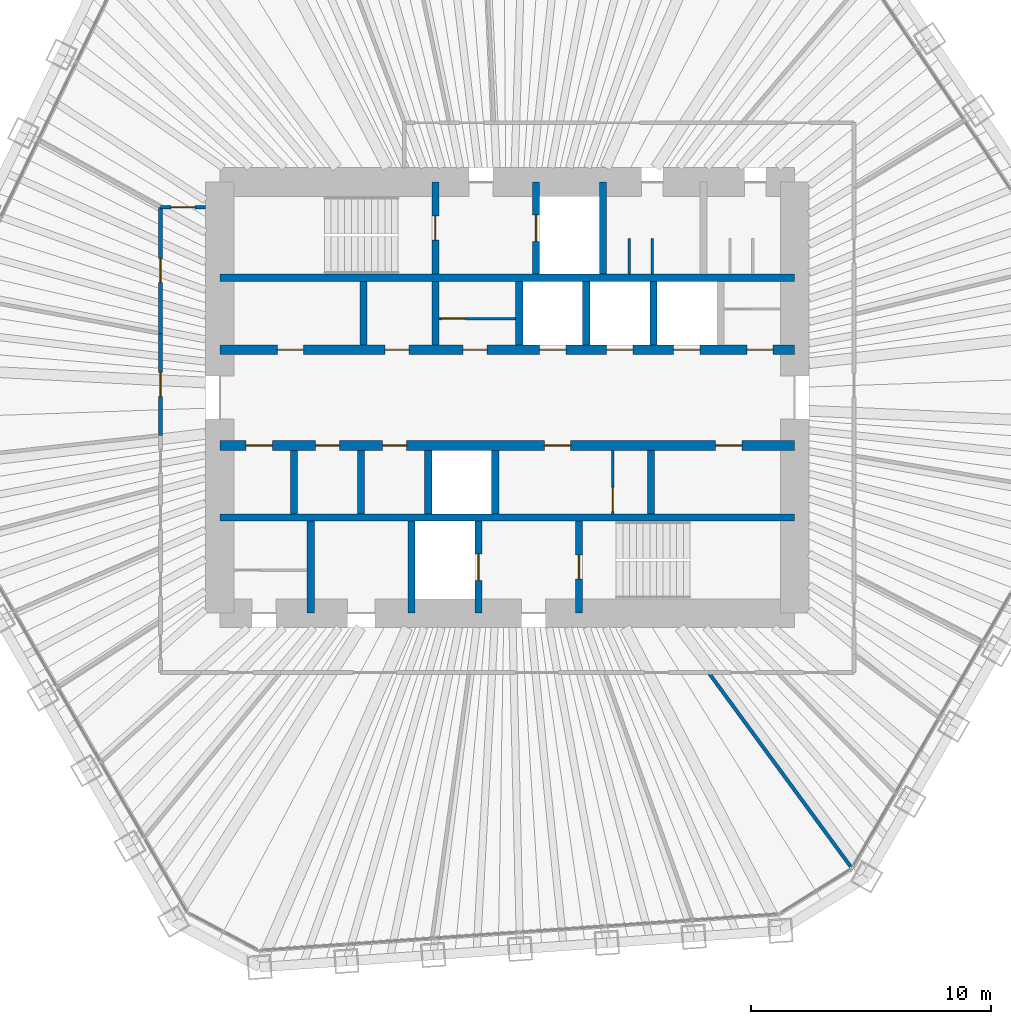
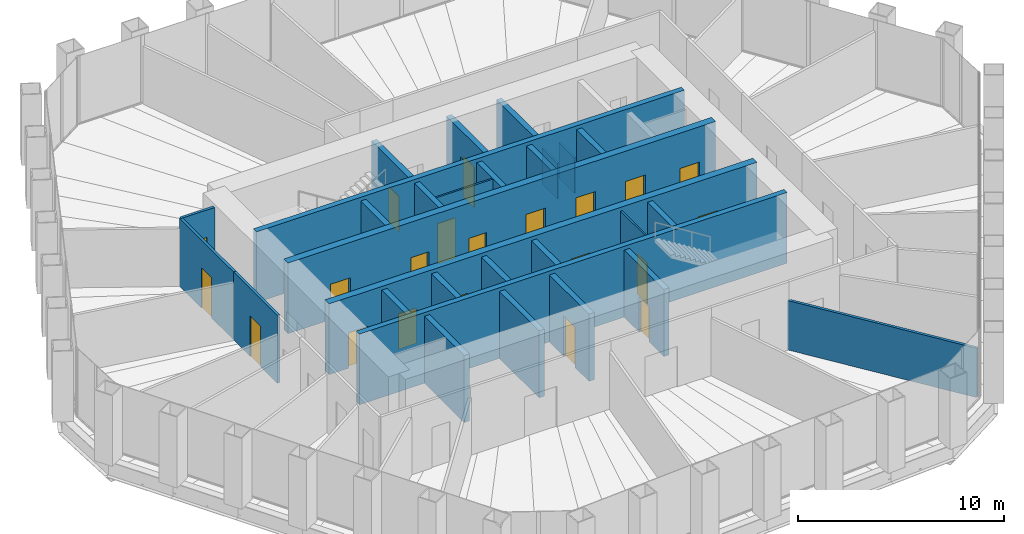
# One storey, part 11 of 14: 29 walls, 21 doors, 21 openings.
"""IFC4 building model written with IfcOpenShell, lengths in metres."""

from ifc_helpers import new_model, si_unit, direction, frame, frame_2d, origin, place, context, subcontext, project, spatial, rectangle, extrude, material, layer, layer_set, type_object, element, fill, save


model = new_model("IFC4")

# Units and contexts
model_context = context("Model", 3, precision=1e-05, world=origin(), true_north=direction((0.0, 1.0)))
body_context = subcontext(model_context, "Body", "Model", "MODEL_VIEW")
ifc_project = project(units=[si_unit("LENGTHUNIT", "METRE"), si_unit("AREAUNIT", "SQUARE_METRE"), si_unit("VOLUMEUNIT", "CUBIC_METRE"), si_unit("PLANEANGLEUNIT", "RADIAN"), si_unit("MASSUNIT", "GRAM", prefix="KILO")], contexts=[model_context])

# Site, building, storey
site_placement = place(None, origin())
site = spatial("IfcSite", under=ifc_project, at=site_placement, CompositionType="ELEMENT")
building_placement = place(site_placement, origin())
building = spatial("IfcBuilding", under=site, at=building_placement, Name="Qingtian Harvest Tower", CompositionType="ELEMENT")
storey_placement = place(building_placement, frame((0.0, 0.0, 235.0)))
storey = spatial("IfcBuildingStorey", under=building, at=storey_placement, Name="L51", CompositionType="ELEMENT", Elevation=235.0)

# Walls
ifc_material_1 = material(Name="Concrete fc' 70 MPa", Category="concrete")
ifc_layer_1 = layer(ifc_material_1, 0.300048828125)
ifc_layer_set_1 = layer_set([ifc_layer_1], Name="Core inner wall RC5 300")
wall_type_1 = type_object("IfcWallType", Name="Core inner wall RC5 300", PredefinedType="SHEAR", material=ifc_layer_set_1)
for number, where, z_axis, x_axis, name in (
    (1, (-12.0, 5.0, 0.0), (0.0, 0.0, 1.0), (1.0, 0.0, 0.0), "Core wall IN5 L51"),
    (2, (-12.0, -5.0, 0.0), (0.0, 0.0, 1.0), (1.0, 0.0, 0.0), "Core wall IS5 L51"),
):
    element("IfcWall", number, at=place(storey_placement, frame(where, z_axis=z_axis, x_axis=x_axis)), inside=storey, type_object=wall_type_1, Name=name, PredefinedType="SHEAR", context=body_context, shape_type="SweptSolid", body=[
        extrude(rectangle(XDim=24.0, YDim=0.300048828125, at=frame_2d((12.0, 0.0))), origin(), (0.0, 0.0, 1.0), 4.199951171875),
    ])

# Wall, openings, doors
ifc_material_2 = material(Name="Concrete fc' 70 MPa", Category="concrete")
ifc_layer_2 = layer(ifc_material_2, 0.39990234375)
ifc_layer_set_2 = layer_set([ifc_layer_2], Name="Core inner web RC6 400")
wall_type_2 = type_object("IfcWallType", Name="Core inner web RC6 400", PredefinedType="SHEAR", material=ifc_layer_set_2)
wall_1_placement = place(storey_placement, frame((-12.0, 2.0, 0.0), z_axis=(0.0, 0.0, 1.0), x_axis=(1.0, 0.0, 0.0)))
wall_1 = element("IfcWall", 3, at=wall_1_placement, inside=storey, type_object=wall_type_2, Name="Core wall IN2 L51", PredefinedType="SHEAR", context=body_context, shape_type="SweptSolid", body=[
    extrude(rectangle(XDim=24.0, YDim=0.39990234375, at=frame_2d((12.0, 0.0))), origin(), (0.0, 0.0, 1.0), 4.199951171875),
])
opening_1_placement = place(wall_1_placement, frame((2.39990234375, 0.0, 0.0)))
opening_1 = element("IfcOpeningElement", 4, at=opening_1_placement, cuts=wall_1, Name="Opening FD4", PredefinedType="OPENING", context=body_context, shape_type="SweptSolid", body=[
    extrude(rectangle(XDim=1.10009765625, YDim=2.10009765625, at=frame_2d((0.550048828125, 1.050048828125))), frame((0.0, 0.2099609375, 0.0), z_axis=(0.0, -1.0, 0.0), x_axis=(1.0, 0.0, 0.0)), (0.0, 0.0, 1.0), 0.419921875),
])
opening_2_placement = place(wall_1_placement, frame((22.0, 0.0, 0.0)))
opening_2 = element("IfcOpeningElement", 5, at=opening_2_placement, cuts=wall_1, Name="Opening FD4", PredefinedType="OPENING", context=body_context, shape_type="SweptSolid", body=[
    extrude(rectangle(XDim=1.10009765625, YDim=2.10009765625, at=frame_2d((0.550048828125, 1.050048828125))), frame((0.0, 0.2099609375, 0.0), z_axis=(0.0, -1.0, 0.0), x_axis=(1.0, 0.0, 0.0)), (0.0, 0.0, 1.0), 0.419921875),
])
opening_3_placement = place(wall_1_placement, frame((10.14990234375, 0.0, 0.0)))
opening_3 = element("IfcOpeningElement", 6, at=opening_3_placement, cuts=wall_1, Name="Opening FD1", PredefinedType="OPENING", context=body_context, shape_type="SweptSolid", body=[
    extrude(rectangle(XDim=1.0, YDim=2.10009765625, at=frame_2d((0.5, 1.050048828125))), frame((0.0, 0.2099609375, 0.0), z_axis=(0.0, -1.0, 0.0), x_axis=(1.0, 0.0, 0.0)), (0.0, 0.0, 1.0), 0.419921875),
])
opening_4_placement = place(wall_1_placement, frame((6.89990234375, 0.0, 0.0)))
opening_4 = element("IfcOpeningElement", 7, at=opening_4_placement, cuts=wall_1, Name="Opening FD1", PredefinedType="OPENING", context=body_context, shape_type="SweptSolid", body=[
    extrude(rectangle(XDim=1.0, YDim=2.10009765625, at=frame_2d((0.5, 1.050048828125))), frame((0.0, 0.2099609375, 0.0), z_axis=(0.0, -1.0, 0.0), x_axis=(1.0, 0.0, 0.0)), (0.0, 0.0, 1.0), 0.419921875),
])
opening_5_placement = place(wall_1_placement, frame((13.35009765625, 0.0, 0.0)))
opening_5 = element("IfcOpeningElement", 8, at=opening_5_placement, cuts=wall_1, Name="Opening LD1", PredefinedType="OPENING", context=body_context, shape_type="SweptSolid", body=[
    extrude(rectangle(XDim=1.10009765625, YDim=2.39990234375, at=frame_2d((0.550048828125, 1.199951171875))), frame((0.0, 0.2099609375, 0.0), z_axis=(0.0, -1.0, 0.0), x_axis=(1.0, 0.0, 0.0)), (0.0, 0.0, 1.0), 0.419921875),
])
opening_6_placement = place(wall_1_placement, frame((16.14990234375, 0.0, 0.0)))
opening_6 = element("IfcOpeningElement", 9, at=opening_6_placement, cuts=wall_1, Name="Opening LD1", PredefinedType="OPENING", context=body_context, shape_type="SweptSolid", body=[
    extrude(rectangle(XDim=1.10009765625, YDim=2.39990234375, at=frame_2d((0.550048828125, 1.199951171875))), frame((0.0, 0.2099609375, 0.0), z_axis=(0.0, -1.0, 0.0), x_axis=(1.0, 0.0, 0.0)), (0.0, 0.0, 1.0), 0.419921875),
])
opening_7_placement = place(wall_1_placement, frame((18.949951171875, 0.0, 0.0)))
opening_7 = element("IfcOpeningElement", 10, at=opening_7_placement, cuts=wall_1, Name="Opening LD1", PredefinedType="OPENING", context=body_context, shape_type="SweptSolid", body=[
    extrude(rectangle(XDim=1.10009765625, YDim=2.39990234375, at=frame_2d((0.550048828125, 1.199951171875))), frame((0.0, 0.2099609375, 0.0), z_axis=(0.0, -1.0, 0.0), x_axis=(1.0, 0.0, 0.0)), (0.0, 0.0, 1.0), 0.419921875),
])
ifc_material_3 = material(Name="Steel-faced door leaf", Category="steel")
door_type_1 = type_object("IfcDoorType", Name="Fire door FD1 single 1 HR", OperationType="SINGLE_SWING_LEFT", PredefinedType="DOOR", material=ifc_material_3)
door_1_placement = place(opening_3_placement, origin())
door_1 = element("IfcDoor", 11, at=door_1_placement, inside=storey, type_object=door_type_1, Name="STA door L51", OperationType="SINGLE_SWING_LEFT", OverallHeight=2.10009765625, OverallWidth=1.0, PredefinedType="DOOR", context=body_context, shape_type="SweptSolid", body=[
    extrude(rectangle(XDim=1.0, YDim=2.10009765625, at=frame_2d((0.5, 1.050048828125))), frame((0.0, 0.02490234375, 0.0), z_axis=(0.0, -1.0, 0.0), x_axis=(1.0, 0.0, 0.0)), (0.0, 0.0, 1.0), 0.050048828125),
])
fill(opening_3, door_1)
door_2_placement = place(opening_4_placement, origin())
door_2 = element("IfcDoor", 12, at=door_2_placement, inside=storey, type_object=door_type_1, Name="Pantry door L51", OperationType="SINGLE_SWING_LEFT", OverallHeight=2.10009765625, OverallWidth=1.0, PredefinedType="DOOR", context=body_context, shape_type="SweptSolid", body=[
    extrude(rectangle(XDim=1.0, YDim=2.10009765625, at=frame_2d((0.5, 1.050048828125))), frame((0.0, 0.02490234375, 0.0), z_axis=(0.0, -1.0, 0.0), x_axis=(1.0, 0.0, 0.0)), (0.0, 0.0, 1.0), 0.050048828125),
])
fill(opening_4, door_2)
ifc_material_4 = material(Name="Steel-faced door leaf", Category="steel")
door_type_2 = type_object("IfcDoorType", Name="Fire door FD4 single 2 HR", OperationType="SINGLE_SWING_LEFT", PredefinedType="DOOR", material=ifc_material_4)
door_3_placement = place(opening_1_placement, origin())
door_3 = element("IfcDoor", 13, at=door_3_placement, inside=storey, type_object=door_type_2, Name="RA door L51", OperationType="SINGLE_SWING_LEFT", OverallHeight=2.10009765625, OverallWidth=1.10009765625, PredefinedType="DOOR", context=body_context, shape_type="SweptSolid", body=[
    extrude(rectangle(XDim=1.10009765625, YDim=2.10009765625, at=frame_2d((0.550048828125, 1.050048828125))), frame((0.0, 0.02490234375, 0.0), z_axis=(0.0, -1.0, 0.0), x_axis=(1.0, 0.0, 0.0)), (0.0, 0.0, 1.0), 0.050048828125),
])
fill(opening_1, door_3)
door_4_placement = place(opening_2_placement, origin())
door_4 = element("IfcDoor", 14, at=door_4_placement, inside=storey, type_object=door_type_2, Name="AHU door L51", OperationType="SINGLE_SWING_RIGHT", OverallHeight=2.10009765625, OverallWidth=1.10009765625, PredefinedType="DOOR", context=body_context, shape_type="SweptSolid", body=[
    extrude(rectangle(XDim=1.10009765625, YDim=2.10009765625, at=frame_2d((0.550048828125, 1.050048828125))), frame((0.0, 0.02490234375, 0.0), z_axis=(0.0, -1.0, 0.0), x_axis=(1.0, 0.0, 0.0)), (0.0, 0.0, 1.0), 0.050048828125),
])
fill(opening_2, door_4)
ifc_material_5 = material(Name="Stainless steel lift landing door", Category="steel")
door_type_3 = type_object("IfcDoorType", Name="Lift landing door LD1 1 HR", OperationType="DOUBLE_DOOR_SLIDING", PredefinedType="DOOR", material=ifc_material_5)
door_5_placement = place(opening_5_placement, origin())
door_5 = element("IfcDoor", 15, at=door_5_placement, inside=storey, type_object=door_type_3, Name="PLC1 landing door L51", OperationType="DOUBLE_DOOR_SLIDING", OverallHeight=2.39990234375, OverallWidth=1.10009765625, PredefinedType="DOOR", context=body_context, shape_type="SweptSolid", body=[
    extrude(rectangle(XDim=1.10009765625, YDim=2.39990234375, at=frame_2d((0.550048828125, 1.199951171875))), frame((0.0, 0.02490234375, 0.0), z_axis=(0.0, -1.0, 0.0), x_axis=(1.0, 0.0, 0.0)), (0.0, 0.0, 1.0), 0.050048828125),
])
fill(opening_5, door_5)
door_6_placement = place(opening_6_placement, origin())
door_6 = element("IfcDoor", 16, at=door_6_placement, inside=storey, type_object=door_type_3, Name="PLC2 landing door L51", OperationType="DOUBLE_DOOR_SLIDING", OverallHeight=2.39990234375, OverallWidth=1.10009765625, PredefinedType="DOOR", context=body_context, shape_type="SweptSolid", body=[
    extrude(rectangle(XDim=1.10009765625, YDim=2.39990234375, at=frame_2d((0.550048828125, 1.199951171875))), frame((0.0, 0.02490234375, 0.0), z_axis=(0.0, -1.0, 0.0), x_axis=(1.0, 0.0, 0.0)), (0.0, 0.0, 1.0), 0.050048828125),
])
fill(opening_6, door_6)
door_7_placement = place(opening_7_placement, origin())
door_7 = element("IfcDoor", 17, at=door_7_placement, inside=storey, type_object=door_type_3, Name="PLC3 landing door L51", OperationType="DOUBLE_DOOR_SLIDING", OverallHeight=2.39990234375, OverallWidth=1.10009765625, PredefinedType="DOOR", context=body_context, shape_type="SweptSolid", body=[
    extrude(rectangle(XDim=1.10009765625, YDim=2.39990234375, at=frame_2d((0.550048828125, 1.199951171875))), frame((0.0, 0.02490234375, 0.0), z_axis=(0.0, -1.0, 0.0), x_axis=(1.0, 0.0, 0.0)), (0.0, 0.0, 1.0), 0.050048828125),
])
fill(opening_7, door_7)

wall_2_placement = place(storey_placement, frame((-12.0, -2.0, 0.0), z_axis=(0.0, 0.0, 1.0), x_axis=(1.0, 0.0, 0.0)))
wall_2 = element("IfcWall", 18, at=wall_2_placement, inside=storey, type_object=wall_type_2, Name="Core wall IS2 L51", PredefinedType="SHEAR", context=body_context, shape_type="SweptSolid", body=[
    extrude(rectangle(XDim=24.0, YDim=0.39990234375, at=frame_2d((12.0, 0.0))), origin(), (0.0, 0.0, 1.0), 4.199951171875),
])
opening_8_placement = place(wall_2_placement, frame((1.10009765625, 0.0, 0.0)))
opening_8 = element("IfcOpeningElement", 19, at=opening_8_placement, cuts=wall_2, Name="Opening FD4", PredefinedType="OPENING", context=body_context, shape_type="SweptSolid", body=[
    extrude(rectangle(XDim=1.10009765625, YDim=2.10009765625, at=frame_2d((0.550048828125, 1.050048828125))), frame((0.0, 0.2099609375, 0.0), z_axis=(0.0, -1.0, 0.0), x_axis=(1.0, 0.0, 0.0)), (0.0, 0.0, 1.0), 0.419921875),
])
opening_9_placement = place(wall_2_placement, frame((13.550048828125, 0.0, 0.0)))
opening_9 = element("IfcOpeningElement", 20, at=opening_9_placement, cuts=wall_2, Name="Opening FD4", PredefinedType="OPENING", context=body_context, shape_type="SweptSolid", body=[
    extrude(rectangle(XDim=1.10009765625, YDim=2.10009765625, at=frame_2d((0.550048828125, 1.050048828125))), frame((0.0, 0.2099609375, 0.0), z_axis=(0.0, -1.0, 0.0), x_axis=(1.0, 0.0, 0.0)), (0.0, 0.0, 1.0), 0.419921875),
])
opening_10_placement = place(wall_2_placement, frame((20.699951171875, 0.0, 0.0)))
opening_10 = element("IfcOpeningElement", 21, at=opening_10_placement, cuts=wall_2, Name="Opening FD4", PredefinedType="OPENING", context=body_context, shape_type="SweptSolid", body=[
    extrude(rectangle(XDim=1.10009765625, YDim=2.10009765625, at=frame_2d((0.550048828125, 1.050048828125))), frame((0.0, 0.2099609375, 0.0), z_axis=(0.0, -1.0, 0.0), x_axis=(1.0, 0.0, 0.0)), (0.0, 0.0, 1.0), 0.419921875),
])
opening_11_placement = place(wall_2_placement, frame((4.0, 0.0, 0.0)))
opening_11 = element("IfcOpeningElement", 22, at=opening_11_placement, cuts=wall_2, Name="Opening FD1", PredefinedType="OPENING", context=body_context, shape_type="SweptSolid", body=[
    extrude(rectangle(XDim=1.0, YDim=2.10009765625, at=frame_2d((0.5, 1.050048828125))), frame((0.0, 0.2099609375, 0.0), z_axis=(0.0, -1.0, 0.0), x_axis=(1.0, 0.0, 0.0)), (0.0, 0.0, 1.0), 0.419921875),
])
opening_12_placement = place(wall_2_placement, frame((6.800048828125, 0.0, 0.0)))
opening_12 = element("IfcOpeningElement", 23, at=opening_12_placement, cuts=wall_2, Name="Opening FD1", PredefinedType="OPENING", context=body_context, shape_type="SweptSolid", body=[
    extrude(rectangle(XDim=1.0, YDim=2.10009765625, at=frame_2d((0.5, 1.050048828125))), frame((0.0, 0.2099609375, 0.0), z_axis=(0.0, -1.0, 0.0), x_axis=(1.0, 0.0, 0.0)), (0.0, 0.0, 1.0), 0.419921875),
])
door_8_placement = place(opening_11_placement, origin())
door_8 = element("IfcDoor", 24, at=door_8_placement, inside=storey, type_object=door_type_1, Name="IT room door L51", OperationType="SINGLE_SWING_RIGHT", OverallHeight=2.10009765625, OverallWidth=1.0, PredefinedType="DOOR", context=body_context, shape_type="SweptSolid", body=[
    extrude(rectangle(XDim=1.0, YDim=2.10009765625, at=frame_2d((0.5, 1.050048828125))), frame((0.0, 0.02490234375, 0.0), z_axis=(0.0, -1.0, 0.0), x_axis=(1.0, 0.0, 0.0)), (0.0, 0.0, 1.0), 0.050048828125),
])
fill(opening_11, door_8)
door_9_placement = place(opening_12_placement, origin())
door_9 = element("IfcDoor", 25, at=door_9_placement, inside=storey, type_object=door_type_1, Name="Store door L51", OperationType="SINGLE_SWING_RIGHT", OverallHeight=2.10009765625, OverallWidth=1.0, PredefinedType="DOOR", context=body_context, shape_type="SweptSolid", body=[
    extrude(rectangle(XDim=1.0, YDim=2.10009765625, at=frame_2d((0.5, 1.050048828125))), frame((0.0, 0.02490234375, 0.0), z_axis=(0.0, -1.0, 0.0), x_axis=(1.0, 0.0, 0.0)), (0.0, 0.0, 1.0), 0.050048828125),
])
fill(opening_12, door_9)
door_10_placement = place(opening_8_placement, origin())
door_10 = element("IfcDoor", 26, at=door_10_placement, inside=storey, type_object=door_type_2, Name="RB door L51", OperationType="SINGLE_SWING_RIGHT", OverallHeight=2.10009765625, OverallWidth=1.10009765625, PredefinedType="DOOR", context=body_context, shape_type="SweptSolid", body=[
    extrude(rectangle(XDim=1.10009765625, YDim=2.10009765625, at=frame_2d((0.550048828125, 1.050048828125))), frame((0.0, 0.02490234375, 0.0), z_axis=(0.0, -1.0, 0.0), x_axis=(1.0, 0.0, 0.0)), (0.0, 0.0, 1.0), 0.050048828125),
])
fill(opening_8, door_10)
door_11_placement = place(opening_9_placement, origin())
door_11 = element("IfcDoor", 27, at=door_11_placement, inside=storey, type_object=door_type_2, Name="ELEC door L51", OperationType="SINGLE_SWING_LEFT", OverallHeight=2.10009765625, OverallWidth=1.10009765625, PredefinedType="DOOR", context=body_context, shape_type="SweptSolid", body=[
    extrude(rectangle(XDim=1.10009765625, YDim=2.10009765625, at=frame_2d((0.550048828125, 1.050048828125))), frame((0.0, 0.02490234375, 0.0), z_axis=(0.0, -1.0, 0.0), x_axis=(1.0, 0.0, 0.0)), (0.0, 0.0, 1.0), 0.050048828125),
])
fill(opening_9, door_11)
door_12_placement = place(opening_10_placement, origin())
door_12 = element("IfcDoor", 28, at=door_12_placement, inside=storey, type_object=door_type_2, Name="DUCT door L51", OperationType="SINGLE_SWING_LEFT", OverallHeight=2.10009765625, OverallWidth=1.10009765625, PredefinedType="DOOR", context=body_context, shape_type="SweptSolid", body=[
    extrude(rectangle(XDim=1.10009765625, YDim=2.10009765625, at=frame_2d((0.550048828125, 1.050048828125))), frame((0.0, 0.02490234375, 0.0), z_axis=(0.0, -1.0, 0.0), x_axis=(1.0, 0.0, 0.0)), (0.0, 0.0, 1.0), 0.050048828125),
])
fill(opening_10, door_12)

# Wall, opening, door
ifc_material_6 = material(Name="Precast concrete shaft panel", Category="concrete")
ifc_layer_3 = layer(ifc_material_6, 0.300048828125)
ifc_layer_set_3 = layer_set([ifc_layer_3], Name="Core shaft partition SW1 300")
wall_type_3 = type_object("IfcWallType", Name="Core shaft partition SW1 300", PredefinedType="PARTITIONING", material=ifc_layer_set_3)
wall_3_placement = place(storey_placement, frame((-3.0, 5.14990234375, 0.0), z_axis=(0.0, 0.0, 1.0), x_axis=(0.0, 1.0, 0.0)))
wall_3 = element("IfcWall", 29, at=wall_3_placement, inside=storey, type_object=wall_type_3, Name="Core shaft partition XN1 L51", PredefinedType="PARTITIONING", context=body_context, shape_type="SweptSolid", body=[
    extrude(rectangle(XDim=3.85009765625, YDim=0.300048828125, at=frame_2d((1.925048828125, 0.0))), origin(), (0.0, 0.0, 1.0), 3.97998046875),
])
opening_13_placement = place(wall_3_placement, frame((1.425048828125, 0.0, 0.0)))
opening_13 = element("IfcOpeningElement", 30, at=opening_13_placement, cuts=wall_3, Name="Opening FD1", PredefinedType="OPENING", context=body_context, shape_type="SweptSolid", body=[
    extrude(rectangle(XDim=1.0, YDim=2.10009765625, at=frame_2d((0.5, 1.050048828125))), frame((0.0, 0.159912109375, 0.0), z_axis=(0.0, -1.0, 0.0), x_axis=(1.0, 0.0, 0.0)), (0.0, 0.0, 1.0), 0.320068359375),
])
door_13_placement = place(opening_13_placement, origin())
door_13 = element("IfcDoor", 31, at=door_13_placement, inside=storey, type_object=door_type_1, Name="S1 door L51", OperationType="SINGLE_SWING_RIGHT", OverallHeight=2.10009765625, OverallWidth=1.0, PredefinedType="DOOR", context=body_context, shape_type="SweptSolid", body=[
    extrude(rectangle(XDim=1.0, YDim=2.10009765625, at=frame_2d((0.5, 1.050048828125))), frame((0.0, 0.02490234375, 0.0), z_axis=(0.0, -1.0, 0.0), x_axis=(1.0, 0.0, 0.0)), (0.0, 0.0, 1.0), 0.050048828125),
])
fill(opening_13, door_13)

wall_4_placement = place(storey_placement, frame((1.199951171875, 5.14990234375, 0.0), z_axis=(0.0, 0.0, 1.0), x_axis=(0.0, 1.0, 0.0)))
wall_4 = element("IfcWall", 32, at=wall_4_placement, inside=storey, type_object=wall_type_3, Name="Core shaft partition XN2 L51", PredefinedType="PARTITIONING", context=body_context, shape_type="SweptSolid", body=[
    extrude(rectangle(XDim=3.85009765625, YDim=0.300048828125, at=frame_2d((1.925048828125, 0.0))), origin(), (0.0, 0.0, 1.0), 3.97998046875),
])
opening_14_placement = place(wall_4_placement, frame((1.375, 0.0, 0.0)))
opening_14 = element("IfcOpeningElement", 33, at=opening_14_placement, cuts=wall_4, Name="Opening LD1", PredefinedType="OPENING", context=body_context, shape_type="SweptSolid", body=[
    extrude(rectangle(XDim=1.10009765625, YDim=2.39990234375, at=frame_2d((0.550048828125, 1.199951171875))), frame((0.0, 0.159912109375, 0.0), z_axis=(0.0, -1.0, 0.0), x_axis=(1.0, 0.0, 0.0)), (0.0, 0.0, 1.0), 0.320068359375),
])
door_14_placement = place(opening_14_placement, origin())
door_14 = element("IfcDoor", 34, at=door_14_placement, inside=storey, type_object=door_type_3, Name="FL1 landing door L51", OperationType="DOUBLE_DOOR_SLIDING", OverallHeight=2.39990234375, OverallWidth=1.10009765625, PredefinedType="DOOR", context=body_context, shape_type="SweptSolid", body=[
    extrude(rectangle(XDim=1.10009765625, YDim=2.39990234375, at=frame_2d((0.550048828125, 1.199951171875))), frame((0.0, 0.02490234375, 0.0), z_axis=(0.0, -1.0, 0.0), x_axis=(1.0, 0.0, 0.0)), (0.0, 0.0, 1.0), 0.050048828125),
])
fill(opening_14, door_14)

# Walls
wall_5_placement = place(storey_placement, frame((4.0, 5.14990234375, 0.0), z_axis=(0.0, 0.0, 1.0), x_axis=(0.0, 1.0, 0.0)))
element("IfcWall", 35, at=wall_5_placement, inside=storey, type_object=wall_type_3, Name="Core shaft partition XN3 L51", PredefinedType="PARTITIONING", context=body_context, shape_type="SweptSolid", body=[
    extrude(rectangle(XDim=3.85009765625, YDim=0.300048828125, at=frame_2d((1.925048828125, 0.0))), origin(), (0.0, 0.0, 1.0), 3.97998046875),
])
for number, where, z_axis, x_axis, name in (
    (36, (-6.0, 2.199951171875, 0.0), (0.0, 0.0, 1.0), (0.0, 1.0, 0.0), "Core shaft partition XA1 L51"),
    (37, (-3.0, 2.199951171875, 0.0), (0.0, 0.0, 1.0), (0.0, 1.0, 0.0), "Core shaft partition XA2 L51"),
    (38, (0.5, 2.199951171875, 0.0), (0.0, 0.0, 1.0), (0.0, 1.0, 0.0), "Core shaft partition XA3 L51"),
    (39, (3.300048828125, 2.199951171875, 0.0), (0.0, 0.0, 1.0), (0.0, 1.0, 0.0), "Core shaft partition XA4 L51"),
    (40, (6.10009765625, 2.199951171875, 0.0), (0.0, 0.0, 1.0), (0.0, 1.0, 0.0), "Core shaft partition XA5 L51"),
    (41, (-8.89990234375, -4.85009765625, 0.0), (0.0, 0.0, 1.0), (0.0, 1.0, 0.0), "Core shaft partition XB1 L51"),
    (42, (-6.10009765625, -4.85009765625, 0.0), (0.0, 0.0, 1.0), (0.0, 1.0, 0.0), "Core shaft partition XB2 L51"),
    (43, (-3.300048828125, -4.85009765625, 0.0), (0.0, 0.0, 1.0), (0.0, 1.0, 0.0), "Core shaft partition XB3 L51"),
    (44, (-0.5, -4.85009765625, 0.0), (0.0, 0.0, 1.0), (0.0, 1.0, 0.0), "Core shaft partition XB4 L51"),
    (45, (6.0, -4.85009765625, 0.0), (0.0, 0.0, 1.0), (0.0, 1.0, 0.0), "Core shaft partition XB5 L51"),
):
    element("IfcWall", number, at=place(storey_placement, frame(where, z_axis=z_axis, x_axis=x_axis)), inside=storey, type_object=wall_type_3, Name=name, PredefinedType="PARTITIONING", context=body_context, shape_type="SweptSolid", body=[
        extrude(rectangle(XDim=2.650146484375, YDim=0.300048828125, at=frame_2d((1.3251953125, 0.0))), origin(), (0.0, 0.0, 1.0), 3.97998046875),
    ])
for number, where, z_axis, x_axis, name in (
    (46, (-8.199951171875, -9.0, 0.0), (0.0, 0.0, 1.0), (0.0, 1.0, 0.0), "Core shaft partition XS1 L51"),
    (47, (-4.0, -9.0, 0.0), (0.0, 0.0, 1.0), (0.0, 1.0, 0.0), "Core shaft partition XS2 L51"),
):
    element("IfcWall", number, at=place(storey_placement, frame(where, z_axis=z_axis, x_axis=x_axis)), inside=storey, type_object=wall_type_3, Name=name, PredefinedType="PARTITIONING", context=body_context, shape_type="SweptSolid", body=[
        extrude(rectangle(XDim=3.85009765625, YDim=0.300048828125, at=frame_2d((1.925048828125, 0.0))), origin(), (0.0, 0.0, 1.0), 3.97998046875),
    ])

# Wall, opening, door
wall_6_placement = place(storey_placement, frame((-1.199951171875, -9.0, 0.0), z_axis=(0.0, 0.0, 1.0), x_axis=(0.0, 1.0, 0.0)))
wall_6 = element("IfcWall", 48, at=wall_6_placement, inside=storey, type_object=wall_type_3, Name="Core shaft partition XS3 L51", PredefinedType="PARTITIONING", context=body_context, shape_type="SweptSolid", body=[
    extrude(rectangle(XDim=3.85009765625, YDim=0.300048828125, at=frame_2d((1.925048828125, 0.0))), origin(), (0.0, 0.0, 1.0), 3.97998046875),
])
opening_15_placement = place(wall_6_placement, frame((1.375, 0.0, 0.0)))
opening_15 = element("IfcOpeningElement", 49, at=opening_15_placement, cuts=wall_6, Name="Opening LD1", PredefinedType="OPENING", context=body_context, shape_type="SweptSolid", body=[
    extrude(rectangle(XDim=1.10009765625, YDim=2.39990234375, at=frame_2d((0.550048828125, 1.199951171875))), frame((0.0, 0.159912109375, 0.0), z_axis=(0.0, -1.0, 0.0), x_axis=(1.0, 0.0, 0.0)), (0.0, 0.0, 1.0), 0.320068359375),
])
door_15_placement = place(opening_15_placement, origin())
door_15 = element("IfcDoor", 50, at=door_15_placement, inside=storey, type_object=door_type_3, Name="FL2 landing door L51", OperationType="DOUBLE_DOOR_SLIDING", OverallHeight=2.39990234375, OverallWidth=1.10009765625, PredefinedType="DOOR", context=body_context, shape_type="SweptSolid", body=[
    extrude(rectangle(XDim=1.10009765625, YDim=2.39990234375, at=frame_2d((0.550048828125, 1.199951171875))), frame((0.0, 0.02490234375, 0.0), z_axis=(0.0, -1.0, 0.0), x_axis=(1.0, 0.0, 0.0)), (0.0, 0.0, 1.0), 0.050048828125),
])
fill(opening_15, door_15)

wall_7_placement = place(storey_placement, frame((3.0, -9.0, 0.0), z_axis=(0.0, 0.0, 1.0), x_axis=(0.0, 1.0, 0.0)))
wall_7 = element("IfcWall", 51, at=wall_7_placement, inside=storey, type_object=wall_type_3, Name="Core shaft partition XS4 L51", PredefinedType="PARTITIONING", context=body_context, shape_type="SweptSolid", body=[
    extrude(rectangle(XDim=3.85009765625, YDim=0.300048828125, at=frame_2d((1.925048828125, 0.0))), origin(), (0.0, 0.0, 1.0), 3.97998046875),
])
opening_16_placement = place(wall_7_placement, frame((1.425048828125, 0.0, 0.0)))
opening_16 = element("IfcOpeningElement", 52, at=opening_16_placement, cuts=wall_7, Name="Opening FD1", PredefinedType="OPENING", context=body_context, shape_type="SweptSolid", body=[
    extrude(rectangle(XDim=1.0, YDim=2.10009765625, at=frame_2d((0.5, 1.050048828125))), frame((0.0, 0.159912109375, 0.0), z_axis=(0.0, -1.0, 0.0), x_axis=(1.0, 0.0, 0.0)), (0.0, 0.0, 1.0), 0.320068359375),
])
door_16_placement = place(opening_16_placement, origin())
door_16 = element("IfcDoor", 53, at=door_16_placement, inside=storey, type_object=door_type_1, Name="S2 door L51", OperationType="SINGLE_SWING_RIGHT", OverallHeight=2.10009765625, OverallWidth=1.0, PredefinedType="DOOR", context=body_context, shape_type="SweptSolid", body=[
    extrude(rectangle(XDim=1.0, YDim=2.10009765625, at=frame_2d((0.5, 1.050048828125))), frame((0.0, 0.02490234375, 0.0), z_axis=(0.0, -1.0, 0.0), x_axis=(1.0, 0.0, 0.0)), (0.0, 0.0, 1.0), 0.050048828125),
])
fill(opening_16, door_16)

ifc_material_7 = material(Name="Gypsum board on steel studs", Category="steel")
ifc_layer_4 = layer(ifc_material_7, 0.14990234375)
ifc_layer_set_4 = layer_set([ifc_layer_4], Name="Partition PT1 150")
wall_type_4 = type_object("IfcWallType", Name="Partition PT1 150", PredefinedType="PARTITIONING", material=ifc_layer_set_4)
wall_8_placement = place(storey_placement, frame((-14.47509765625, -1.575927734375, 0.0), z_axis=(0.0, 0.0, 1.0), x_axis=(0.0, 1.0, 0.0)))
wall_8 = element("IfcWall", 54, at=wall_8_placement, inside=storey, type_object=wall_type_4, Name="Private office wall L51", PredefinedType="PARTITIONING", context=body_context, shape_type="SweptSolid", body=[
    extrude(rectangle(XDim=4.251708984375, YDim=0.14990234375, at=frame_2d((2.1259765625, 0.0))), origin(), (0.0, 0.0, 1.0), 4.030029296875),
])
opening_17_placement = place(wall_8_placement, frame((1.625732421875, 0.0, 0.0)))
opening_17 = element("IfcOpeningElement", 55, at=opening_17_placement, cuts=wall_8, Name="Opening D2", PredefinedType="OPENING", context=body_context, shape_type="SweptSolid", body=[
    extrude(rectangle(XDim=1.0, YDim=2.39990234375, at=frame_2d((0.5, 1.199951171875))), frame((0.0, 0.0849609375, 0.0), z_axis=(0.0, -1.0, 0.0), x_axis=(1.0, 0.0, 0.0)), (0.0, 0.0, 1.0), 0.169921875),
])
ifc_material_8 = material(Name="Laminated timber door leaf", Category="wood")
door_type_4 = type_object("IfcDoorType", Name="Room door D2 single", OperationType="SINGLE_SWING_LEFT", PredefinedType="DOOR", material=ifc_material_8)
door_17_placement = place(opening_17_placement, origin())
door_17 = element("IfcDoor", 56, at=door_17_placement, inside=storey, type_object=door_type_4, Name="Private office door L51", OperationType="SINGLE_SWING_LEFT", OverallHeight=2.39990234375, OverallWidth=1.0, PredefinedType="DOOR", context=body_context, shape_type="SweptSolid", body=[
    extrude(rectangle(XDim=1.0, YDim=2.39990234375, at=frame_2d((0.5, 1.199951171875))), frame((0.0, 0.02490234375, 0.0), z_axis=(0.0, -1.0, 0.0), x_axis=(1.0, 0.0, 0.0)), (0.0, 0.0, 1.0), 0.050048828125),
])
fill(opening_17, door_17)

wall_9_placement = place(storey_placement, frame((-14.47509765625, 2.67578125, 0.0), z_axis=(0.0, 0.0, 1.0), x_axis=(0.0, 1.0, 0.0)))
wall_9 = element("IfcWall", 57, at=wall_9_placement, inside=storey, type_object=wall_type_4, Name="Meeting room wall L51", PredefinedType="PARTITIONING", context=body_context, shape_type="SweptSolid", body=[
    extrude(rectangle(XDim=5.265625, YDim=0.14990234375, at=frame_2d((2.6328125, 0.0))), origin(), (0.0, 0.0, 1.0), 4.030029296875),
])
opening_18_placement = place(wall_9_placement, frame((2.1328125, 0.0, 0.0)))
opening_18 = element("IfcOpeningElement", 58, at=opening_18_placement, cuts=wall_9, Name="Opening D2", PredefinedType="OPENING", context=body_context, shape_type="SweptSolid", body=[
    extrude(rectangle(XDim=1.0, YDim=2.39990234375, at=frame_2d((0.5, 1.199951171875))), frame((0.0, 0.0849609375, 0.0), z_axis=(0.0, -1.0, 0.0), x_axis=(1.0, 0.0, 0.0)), (0.0, 0.0, 1.0), 0.169921875),
])
door_18_placement = place(opening_18_placement, origin())
door_18 = element("IfcDoor", 59, at=door_18_placement, inside=storey, type_object=door_type_4, Name="Meeting room door L51", OperationType="SINGLE_SWING_LEFT", OverallHeight=2.39990234375, OverallWidth=1.0, PredefinedType="DOOR", context=body_context, shape_type="SweptSolid", body=[
    extrude(rectangle(XDim=1.0, YDim=2.39990234375, at=frame_2d((0.5, 1.199951171875))), frame((0.0, 0.02490234375, 0.0), z_axis=(0.0, -1.0, 0.0), x_axis=(1.0, 0.0, 0.0)), (0.0, 0.0, 1.0), 0.050048828125),
])
fill(opening_18, door_18)

wall_10_placement = place(storey_placement, frame((-14.47509765625, 7.94140625, 0.0), z_axis=(0.0, 0.0, 1.0), x_axis=(1.0, 0.0, 0.0)))
wall_10 = element("IfcWall", 60, at=wall_10_placement, inside=storey, type_object=wall_type_4, Name="Workplace zone wall L51", PredefinedType="PARTITIONING", context=body_context, shape_type="SweptSolid", body=[
    extrude(rectangle(XDim=1.875, YDim=0.14990234375, at=frame_2d((0.9375, 0.0))), origin(), (0.0, 0.0, 1.0), 4.030029296875),
])
opening_19_placement = place(wall_10_placement, frame((0.4375, 0.0, 0.0)))
opening_19 = element("IfcOpeningElement", 61, at=opening_19_placement, cuts=wall_10, Name="Opening D2", PredefinedType="OPENING", context=body_context, shape_type="SweptSolid", body=[
    extrude(rectangle(XDim=1.0, YDim=2.39990234375, at=frame_2d((0.5, 1.199951171875))), frame((0.0, 0.0849609375, 0.0), z_axis=(0.0, -1.0, 0.0), x_axis=(1.0, 0.0, 0.0)), (0.0, 0.0, 1.0), 0.169921875),
])
door_19_placement = place(opening_19_placement, origin())
door_19 = element("IfcDoor", 62, at=door_19_placement, inside=storey, type_object=door_type_4, Name="Workplace zone door L51", OperationType="SINGLE_SWING_LEFT", OverallHeight=2.39990234375, OverallWidth=1.0, PredefinedType="DOOR", context=body_context, shape_type="SweptSolid", body=[
    extrude(rectangle(XDim=1.0, YDim=2.39990234375, at=frame_2d((0.5, 1.199951171875))), frame((0.0, 0.02490234375, 0.0), z_axis=(0.0, -1.0, 0.0), x_axis=(1.0, 0.0, 0.0)), (0.0, 0.0, 1.0), 0.050048828125),
])
fill(opening_19, door_19)

# Wall
wall_11_placement = place(storey_placement, frame((14.338623046875, -19.581787109375, 0.0), z_axis=(0.0, 0.0, 1.0), x_axis=(-0.590789413226, 0.806825798559, 0.0)))
element("IfcWall", 63, at=wall_11_placement, inside=storey, type_object=wall_type_4, Name="Private office wall L51", PredefinedType="PARTITIONING", context=body_context, shape_type="SweptSolid", body=[
    extrude(rectangle(XDim=10.047607421875, YDim=0.14990234375, at=frame_2d((5.02392578125, 0.0))), origin(), (0.0, 0.0, 1.0), 2.929931640625),
])

# Wall, opening, door
ifc_material_9 = material(Name="Concrete block partition", Category="concrete")
ifc_layer_5 = layer(ifc_material_9, 0.10009765625)
ifc_layer_set_5 = layer_set([ifc_layer_5], Name="Store partition PT3 100")
wall_type_5 = type_object("IfcWallType", Name="Store partition PT3 100", PredefinedType="PARTITIONING", material=ifc_layer_set_5)
wall_12_placement = place(storey_placement, frame((-2.85009765625, 3.300048828125, 0.0), z_axis=(0.0, 0.0, 1.0), x_axis=(1.0, 0.0, 0.0)))
wall_12 = element("IfcWall", 64, at=wall_12_placement, inside=storey, type_object=wall_type_5, Name="Archive store wall L51", PredefinedType="PARTITIONING", context=body_context, shape_type="SweptSolid", body=[
    extrude(rectangle(XDim=3.2001953125, YDim=0.10009765625, at=frame_2d((1.60009765625, 0.0))), origin(), (0.0, 0.0, 1.0), 3.97998046875),
])
opening_20_placement = place(wall_12_placement, frame((0.10009765625, 0.0, 0.0)))
opening_20 = element("IfcOpeningElement", 65, at=opening_20_placement, cuts=wall_12, Name="Opening D2", PredefinedType="OPENING", context=body_context, shape_type="SweptSolid", body=[
    extrude(rectangle(XDim=1.0, YDim=2.39990234375, at=frame_2d((0.5, 1.199951171875))), frame((0.0, 0.06005859375, 0.0), z_axis=(0.0, -1.0, 0.0), x_axis=(1.0, 0.0, 0.0)), (0.0, 0.0, 1.0), 0.1201171875),
])
door_20_placement = place(opening_20_placement, origin())
door_20 = element("IfcDoor", 66, at=door_20_placement, inside=storey, type_object=door_type_4, Name="Archive store door L51", OperationType="SINGLE_SWING_RIGHT", OverallHeight=2.39990234375, OverallWidth=1.0, PredefinedType="DOOR", context=body_context, shape_type="SweptSolid", body=[
    extrude(rectangle(XDim=1.0, YDim=2.39990234375, at=frame_2d((0.5, 1.199951171875))), frame((0.0, 0.02490234375, 0.0), z_axis=(0.0, -1.0, 0.0), x_axis=(1.0, 0.0, 0.0)), (0.0, 0.0, 1.0), 0.050048828125),
])
fill(opening_20, door_20)

wall_13_placement = place(storey_placement, frame((4.39990234375, -4.85009765625, 0.0), z_axis=(0.0, 0.0, 1.0), x_axis=(0.0, 1.0, 0.0)))
wall_13 = element("IfcWall", 67, at=wall_13_placement, inside=storey, type_object=wall_type_5, Name="Comms room wall L51", PredefinedType="PARTITIONING", context=body_context, shape_type="SweptSolid", body=[
    extrude(rectangle(XDim=2.650146484375, YDim=0.10009765625, at=frame_2d((1.3251953125, 0.0))), origin(), (0.0, 0.0, 1.0), 3.97998046875),
])
opening_21_placement = place(wall_13_placement, frame((0.10009765625, 0.0, 0.0)))
opening_21 = element("IfcOpeningElement", 68, at=opening_21_placement, cuts=wall_13, Name="Opening D2", PredefinedType="OPENING", context=body_context, shape_type="SweptSolid", body=[
    extrude(rectangle(XDim=1.0, YDim=2.39990234375, at=frame_2d((0.5, 1.199951171875))), frame((0.0, 0.06005859375, 0.0), z_axis=(0.0, -1.0, 0.0), x_axis=(1.0, 0.0, 0.0)), (0.0, 0.0, 1.0), 0.1201171875),
])
door_21_placement = place(opening_21_placement, origin())
door_21 = element("IfcDoor", 69, at=door_21_placement, inside=storey, type_object=door_type_4, Name="Comms room door L51", OperationType="SINGLE_SWING_LEFT", OverallHeight=2.39990234375, OverallWidth=1.0, PredefinedType="DOOR", context=body_context, shape_type="SweptSolid", body=[
    extrude(rectangle(XDim=1.0, YDim=2.39990234375, at=frame_2d((0.5, 1.199951171875))), frame((0.0, 0.02490234375, 0.0), z_axis=(0.0, -1.0, 0.0), x_axis=(1.0, 0.0, 0.0)), (0.0, 0.0, 1.0), 0.050048828125),
])
fill(opening_21, door_21)

# Walls
ifc_material_10 = material(Name="Compact laminate cubicle partition", Category="plastic")
ifc_layer_6 = layer(ifc_material_10, 0.10009765625)
ifc_layer_set_6 = layer_set([ifc_layer_6], Name="WC cubicle partition WP1 100")
wall_type_6 = type_object("IfcWallType", Name="WC cubicle partition WP1 100", PredefinedType="PARTITIONING", material=ifc_layer_set_6)
for number, where, z_axis, x_axis, name in (
    (70, (5.10009765625, 5.14990234375, 0.0), (0.0, 0.0, 1.0), (0.0, 1.0, 0.0), "WC cubicle partition WCM L51"),
    (71, (6.050048828125, 5.14990234375, 0.0), (0.0, 0.0, 1.0), (0.0, 1.0, 0.0), "WC cubicle partition WCM L51"),
):
    element("IfcWall", number, at=place(storey_placement, frame(where, z_axis=z_axis, x_axis=x_axis)), inside=storey, type_object=wall_type_6, Name=name, PredefinedType="PARTITIONING", context=body_context, shape_type="SweptSolid", body=[
        extrude(rectangle(XDim=1.5, YDim=0.10009765625, at=frame_2d((0.75, 0.0))), origin(), (0.0, 0.0, 1.0), 2.10009765625),
    ])

save(model, "model.ifc")
